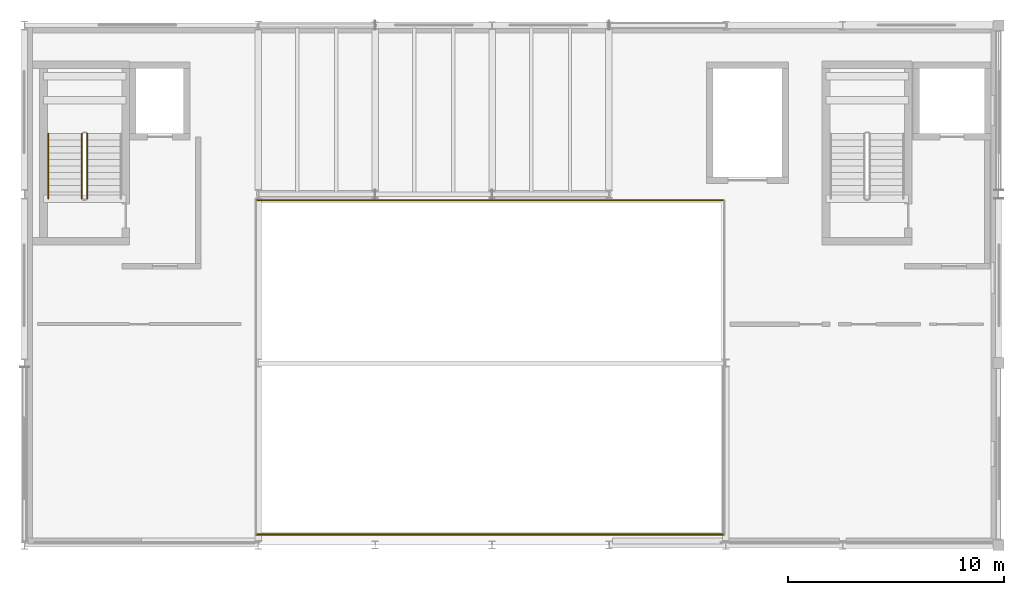
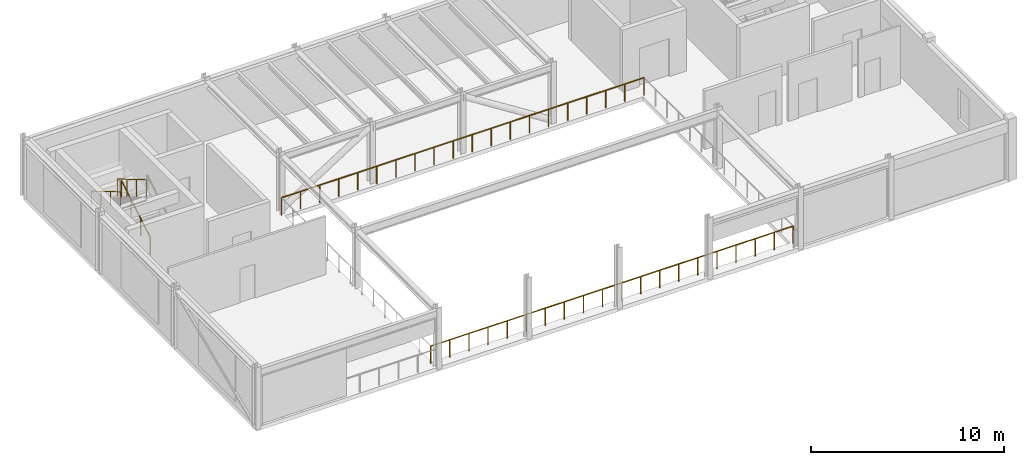
# One storey, part 10 of 12: 5 railings.
"""IFC4 building model written with IfcOpenShell, lengths in metres."""

from ifc_helpers import new_model, si_unit, direction, frame, origin, origin_2d, place, context, subcontext, project, spatial, circle, extrude, material, material_profile, profile_set, type_object, element, save


model = new_model("IFC4")

# Units and contexts
model_context = context("Model", 3, precision=1e-05, world=origin(), true_north=direction((0.0, 1.0)))
body_context = subcontext(model_context, "Body", "Model", "MODEL_VIEW")
ifc_project = project(units=[si_unit("LENGTHUNIT", "METRE"), si_unit("AREAUNIT", "SQUARE_METRE"), si_unit("VOLUMEUNIT", "CUBIC_METRE"), si_unit("PLANEANGLEUNIT", "RADIAN"), si_unit("MASSUNIT", "GRAM", prefix="KILO")], contexts=[model_context])

# Site, building, storey
site_placement = place(None, origin())
site = spatial("IfcSite", under=ifc_project, at=site_placement, CompositionType="ELEMENT")
building_placement = place(site_placement, origin())
building = spatial("IfcBuilding", under=site, at=building_placement, Name="Tazoul Stagehouse", CompositionType="ELEMENT")
storey_placement = place(building_placement, frame((0.0, 0.0, 17.10009765625)))
storey = spatial("IfcBuildingStorey", under=building, at=storey_placement, Name="L04", CompositionType="ELEMENT", Elevation=17.10009765625)

# Railings
ifc_material = material(Name="Brushed Stainless Steel 316L", Category="steel")
ifc_material_profile_1 = material_profile(ifc_material, circle(Radius=0.02392578125, at=origin_2d()), Name="SS RAIL D48")
ifc_profile_set_1 = profile_set([ifc_material_profile_1], Name="Brushed Stainless Steel 316L")
railing_type_1 = type_object("IfcRailingType", Name="Architectural Guardrail H1120", PredefinedType="GUARDRAIL", material=ifc_profile_set_1)
railing_1_placement = place(storey_placement, frame((60.5, 103.800048828125, 0.17724609375)))
element("IfcRailing", 1, at=railing_1_placement, inside=storey, type_object=railing_type_1, Name="L04 ST-03 stair guard 1", PredefinedType="GUARDRAIL", context=body_context, shape_type="SweptSolid", body=[
    extrude(circle(Radius=0.02392578125, at=origin_2d()), frame((0.0, 0.0, 1.09619140625), z_axis=(0.0, 0.86092931783, 0.508724591208), x_axis=(-1.0, 0.0, 0.0)), (0.0, 0.0, 1.0), 3.484619140625),
    extrude(circle(Radius=0.02099609375, at=origin_2d()), origin(), (0.0, 0.0, 1.0), 1.072021484375),
    extrude(circle(Radius=0.02099609375, at=origin_2d()), frame((0.0, 1.0, 0.5908203125)), (0.0, 0.0, 1.0), 1.072021484375),
    extrude(circle(Radius=0.02099609375, at=origin_2d()), frame((0.0, 2.0, 1.181884765625)), (0.0, 0.0, 1.0), 1.072021484375),
    extrude(circle(Radius=0.02099609375, at=origin_2d()), frame((0.0, 3.0, 1.772705078125)), (0.0, 0.0, 1.0), 1.072021484375),
])
railing_2_placement = place(storey_placement, frame((60.25, 106.800048828125, 2.127197265625)))
element("IfcRailing", 2, at=railing_2_placement, inside=storey, type_object=railing_type_1, Name="L04 ST-03 stair guard 3", PredefinedType="GUARDRAIL", context=body_context, shape_type="SweptSolid", body=[
    extrude(circle(Radius=0.02392578125, at=origin_2d()), frame((0.0, 0.0, 1.09619140625), z_axis=(0.0, -0.86092931783, 0.508724591208), x_axis=(1.0, 0.0, 0.0)), (0.0, 0.0, 1.0), 3.484619140625),
    extrude(circle(Radius=0.02099609375, at=origin_2d()), origin(), (0.0, 0.0, 1.0), 1.072021484375),
    extrude(circle(Radius=0.02099609375, at=origin_2d()), frame((0.0, -1.0, 0.5908203125)), (0.0, 0.0, 1.0), 1.072021484375),
    extrude(circle(Radius=0.02099609375, at=origin_2d()), frame((0.0, -2.0, 1.181884765625)), (0.0, 0.0, 1.0), 1.072021484375),
    extrude(circle(Radius=0.02099609375, at=origin_2d()), frame((0.0, -3.0, 1.772705078125)), (0.0, 0.0, 1.0), 1.072021484375),
])
railing_3_placement = place(storey_placement, frame((68.280029296875, 88.280029296875, 0.0)))
element("IfcRailing", 3, at=railing_3_placement, inside=storey, type_object=railing_type_1, Name="L04 Open-Edge Guard GRD-01 (GRD-VOID1-S1)", PredefinedType="GUARDRAIL", context=body_context, shape_type="SweptSolid", body=[
    extrude(circle(Radius=0.02392578125, at=origin_2d()), frame((0.0, 0.0, 1.09619140625), z_axis=(1.0, 0.0, 0.0), x_axis=(0.0, 1.0, 0.0)), (0.0, 0.0, 1.0), 21.639892578125),
    extrude(circle(Radius=0.02099609375, at=origin_2d()), origin(), (0.0, 0.0, 1.0), 1.072021484375),
    extrude(circle(Radius=0.02099609375, at=origin_2d()), frame((1.138916015625, 0.0, 0.0)), (0.0, 0.0, 1.0), 1.072021484375),
    extrude(circle(Radius=0.02099609375, at=origin_2d()), frame((2.27783203125, 0.0, 0.0)), (0.0, 0.0, 1.0), 1.072021484375),
    extrude(circle(Radius=0.02099609375, at=origin_2d()), frame((3.416748046875, 0.0, 0.0)), (0.0, 0.0, 1.0), 1.072021484375),
    extrude(circle(Radius=0.02099609375, at=origin_2d()), frame((4.5556640625, 0.0, 0.0)), (0.0, 0.0, 1.0), 1.072021484375),
    extrude(circle(Radius=0.02099609375, at=origin_2d()), frame((5.69482421875, 0.0, 0.0)), (0.0, 0.0, 1.0), 1.072021484375),
    extrude(circle(Radius=0.02099609375, at=origin_2d()), frame((6.833740234375, 0.0, 0.0)), (0.0, 0.0, 1.0), 1.072021484375),
    extrude(circle(Radius=0.02099609375, at=origin_2d()), frame((7.97265625, 0.0, 0.0)), (0.0, 0.0, 1.0), 1.072021484375),
    extrude(circle(Radius=0.02099609375, at=origin_2d()), frame((9.111572265625, 0.0, 0.0)), (0.0, 0.0, 1.0), 1.072021484375),
    extrude(circle(Radius=0.02099609375, at=origin_2d()), frame((10.25048828125, 0.0, 0.0)), (0.0, 0.0, 1.0), 1.072021484375),
    extrude(circle(Radius=0.02099609375, at=origin_2d()), frame((11.389404296875, 0.0, 0.0)), (0.0, 0.0, 1.0), 1.072021484375),
    extrude(circle(Radius=0.02099609375, at=origin_2d()), frame((12.5283203125, 0.0, 0.0)), (0.0, 0.0, 1.0), 1.072021484375),
    extrude(circle(Radius=0.02099609375, at=origin_2d()), frame((13.667236328125, 0.0, 0.0)), (0.0, 0.0, 1.0), 1.072021484375),
    extrude(circle(Radius=0.02099609375, at=origin_2d()), frame((14.80615234375, 0.0, 0.0)), (0.0, 0.0, 1.0), 1.072021484375),
    extrude(circle(Radius=0.02099609375, at=origin_2d()), frame((15.945068359375, 0.0, 0.0)), (0.0, 0.0, 1.0), 1.072021484375),
    extrude(circle(Radius=0.02099609375, at=origin_2d()), frame((17.084228515625, 0.0, 0.0)), (0.0, 0.0, 1.0), 1.072021484375),
    extrude(circle(Radius=0.02099609375, at=origin_2d()), frame((18.22314453125, 0.0, 0.0)), (0.0, 0.0, 1.0), 1.072021484375),
    extrude(circle(Radius=0.02099609375, at=origin_2d()), frame((19.362060546875, 0.0, 0.0)), (0.0, 0.0, 1.0), 1.072021484375),
    extrude(circle(Radius=0.02099609375, at=origin_2d()), frame((20.5009765625, 0.0, 0.0)), (0.0, 0.0, 1.0), 1.072021484375),
    extrude(circle(Radius=0.02099609375, at=origin_2d()), frame((21.639892578125, 0.0, 0.0)), (0.0, 0.0, 1.0), 1.072021484375),
])
railing_4_placement = place(storey_placement, frame((89.919921875, 103.719970703125, 0.0)))
element("IfcRailing", 4, at=railing_4_placement, inside=storey, type_object=railing_type_1, Name="L04 Open-Edge Guard GRD-01 (GRD-VOID1-N1)", PredefinedType="GUARDRAIL", context=body_context, shape_type="SweptSolid", body=[
    extrude(circle(Radius=0.02392578125, at=origin_2d()), frame((0.0, 0.0, 1.09619140625), z_axis=(-1.0, 0.0, 0.0), x_axis=(0.0, -1.0, 0.0)), (0.0, 0.0, 1.0), 21.639892578125),
    extrude(circle(Radius=0.02099609375, at=origin_2d()), origin(), (0.0, 0.0, 1.0), 1.072021484375),
    extrude(circle(Radius=0.02099609375, at=origin_2d()), frame((-1.138916015625, 0.0, 0.0)), (0.0, 0.0, 1.0), 1.072021484375),
    extrude(circle(Radius=0.02099609375, at=origin_2d()), frame((-2.27783203125, 0.0, 0.0)), (0.0, 0.0, 1.0), 1.072021484375),
    extrude(circle(Radius=0.02099609375, at=origin_2d()), frame((-3.416748046875, 0.0, 0.0)), (0.0, 0.0, 1.0), 1.072021484375),
    extrude(circle(Radius=0.02099609375, at=origin_2d()), frame((-4.5556640625, 0.0, 0.0)), (0.0, 0.0, 1.0), 1.072021484375),
    extrude(circle(Radius=0.02099609375, at=origin_2d()), frame((-5.69482421875, 0.0, 0.0)), (0.0, 0.0, 1.0), 1.072021484375),
    extrude(circle(Radius=0.02099609375, at=origin_2d()), frame((-6.833740234375, 0.0, 0.0)), (0.0, 0.0, 1.0), 1.072021484375),
    extrude(circle(Radius=0.02099609375, at=origin_2d()), frame((-7.97265625, 0.0, 0.0)), (0.0, 0.0, 1.0), 1.072021484375),
    extrude(circle(Radius=0.02099609375, at=origin_2d()), frame((-9.111572265625, 0.0, 0.0)), (0.0, 0.0, 1.0), 1.072021484375),
    extrude(circle(Radius=0.02099609375, at=origin_2d()), frame((-10.25048828125, 0.0, 0.0)), (0.0, 0.0, 1.0), 1.072021484375),
    extrude(circle(Radius=0.02099609375, at=origin_2d()), frame((-11.389404296875, 0.0, 0.0)), (0.0, 0.0, 1.0), 1.072021484375),
    extrude(circle(Radius=0.02099609375, at=origin_2d()), frame((-12.5283203125, 0.0, 0.0)), (0.0, 0.0, 1.0), 1.072021484375),
    extrude(circle(Radius=0.02099609375, at=origin_2d()), frame((-13.667236328125, 0.0, 0.0)), (0.0, 0.0, 1.0), 1.072021484375),
    extrude(circle(Radius=0.02099609375, at=origin_2d()), frame((-14.80615234375, 0.0, 0.0)), (0.0, 0.0, 1.0), 1.072021484375),
    extrude(circle(Radius=0.02099609375, at=origin_2d()), frame((-15.945068359375, 0.0, 0.0)), (0.0, 0.0, 1.0), 1.072021484375),
    extrude(circle(Radius=0.02099609375, at=origin_2d()), frame((-17.084228515625, 0.0, 0.0)), (0.0, 0.0, 1.0), 1.072021484375),
    extrude(circle(Radius=0.02099609375, at=origin_2d()), frame((-18.22314453125, 0.0, 0.0)), (0.0, 0.0, 1.0), 1.072021484375),
    extrude(circle(Radius=0.02099609375, at=origin_2d()), frame((-19.362060546875, 0.0, 0.0)), (0.0, 0.0, 1.0), 1.072021484375),
    extrude(circle(Radius=0.02099609375, at=origin_2d()), frame((-20.5009765625, 0.0, 0.0)), (0.0, 0.0, 1.0), 1.072021484375),
    extrude(circle(Radius=0.02099609375, at=origin_2d()), frame((-21.639892578125, 0.0, 0.0)), (0.0, 0.0, 1.0), 1.072021484375),
])
ifc_material_profile_2 = material_profile(ifc_material, circle(Radius=0.02099609375, at=origin_2d()), Name="SS HANDRAIL D42")
ifc_profile_set_2 = profile_set([ifc_material_profile_2], Name="Brushed Stainless Steel 316L")
railing_type_2 = type_object("IfcRailingType", Name="Continuous Stair Handrail H900", PredefinedType="HANDRAIL", material=ifc_profile_set_2)
railing_5_placement = place(storey_placement, frame((58.699951171875, 106.800048828125, 2.127197265625)))
element("IfcRailing", 5, at=railing_5_placement, inside=storey, type_object=railing_type_2, Name="L04 ST-03 stair handrail 2", PredefinedType="HANDRAIL", context=body_context, shape_type="SweptSolid", body=[
    extrude(circle(Radius=0.02392578125, at=origin_2d()), frame((0.0, 0.0, 0.8759765625), z_axis=(0.0, -0.86092931783, 0.508724591208), x_axis=(1.0, 0.0, 0.0)), (0.0, 0.0, 1.0), 3.484619140625),
    extrude(circle(Radius=0.02099609375, at=origin_2d()), origin(), (0.0, 0.0, 1.0), 0.851806640625),
    extrude(circle(Radius=0.02099609375, at=origin_2d()), frame((0.0, -1.0, 0.5908203125)), (0.0, 0.0, 1.0), 0.851806640625),
    extrude(circle(Radius=0.02099609375, at=origin_2d()), frame((0.0, -2.0, 1.181884765625)), (0.0, 0.0, 1.0), 0.851806640625),
    extrude(circle(Radius=0.02099609375, at=origin_2d()), frame((0.0, -3.0, 1.772705078125)), (0.0, 0.0, 1.0), 0.851806640625),
])

save(model, "model.ifc")
